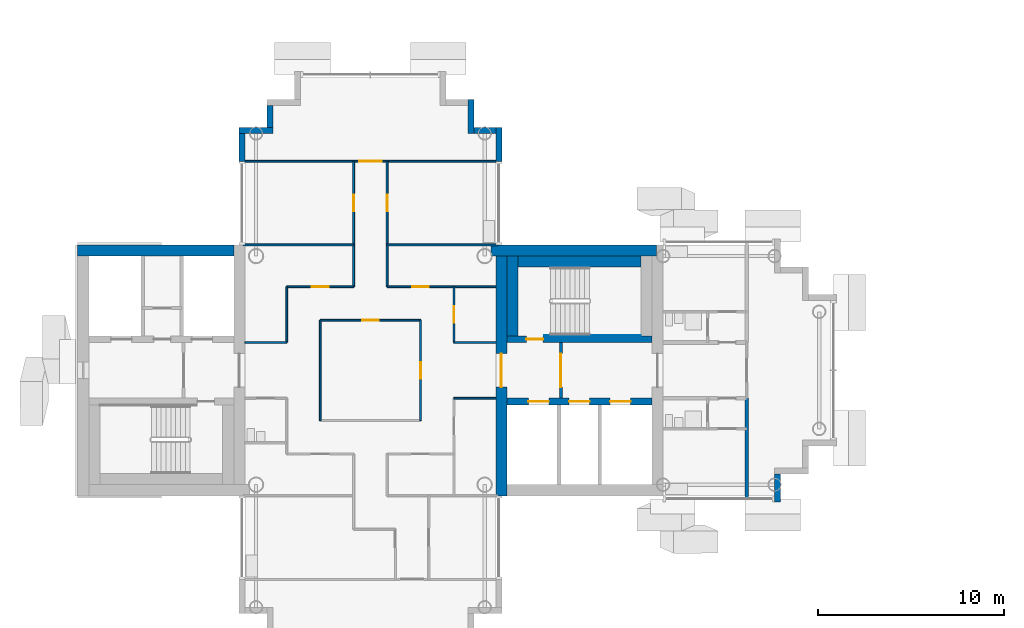
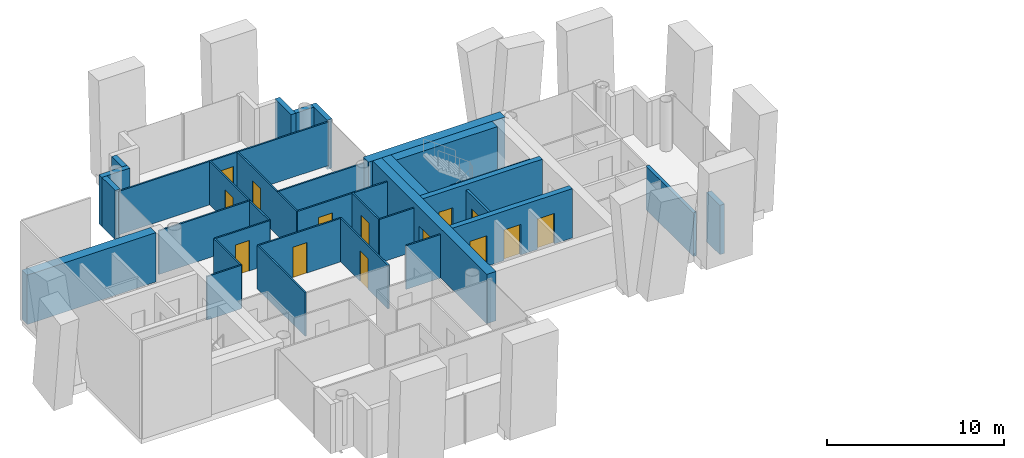
# One storey, part 7 of 18: 32 walls, 14 doors, 14 openings.
"""IFC4 building model written with IfcOpenShell, lengths in metres."""

from ifc_helpers import new_model, si_unit, direction, frame, frame_2d, origin, place, context, subcontext, project, spatial, rectangle, extrude, material, layer, layer_set, type_object, element, fill, save


model = new_model("IFC4")

# Units and contexts
model_context = context("Model", 3, precision=1e-05, world=origin(), true_north=direction((0.0, 1.0)))
body_context = subcontext(model_context, "Body", "Model", "MODEL_VIEW")
ifc_project = project(units=[si_unit("LENGTHUNIT", "METRE"), si_unit("AREAUNIT", "SQUARE_METRE"), si_unit("VOLUMEUNIT", "CUBIC_METRE"), si_unit("PLANEANGLEUNIT", "RADIAN"), si_unit("MASSUNIT", "GRAM", prefix="KILO")], contexts=[model_context])

# Site, building, storey
site_placement = place(None, origin())
site = spatial("IfcSite", under=ifc_project, at=site_placement, CompositionType="ELEMENT")
building_placement = place(site_placement, origin())
building = spatial("IfcBuilding", under=site, at=building_placement, Name="Ipe Terrace Towers", CompositionType="ELEMENT")
storey_placement = place(building_placement, frame((0.0, 0.0, 209.60009765625)))
storey = spatial("IfcBuildingStorey", under=building, at=storey_placement, Name="L58", CompositionType="ELEMENT", Elevation=209.60009765625)

# Walls
ifc_material_1 = material(Name="Concrete C40/50 with buff precast cladding", Category="concrete")
ifc_layer_1 = layer(ifc_material_1, 0.320068359375)
ifc_layer_set_1 = layer_set([ifc_layer_1], Name="BUFF CLADDING WALL 320")
wall_type_1 = type_object("IfcWallType", Name="BUFF CLADDING WALL 320", PredefinedType="STANDARD", material=ifc_layer_set_1)
wall_1_placement = place(storey_placement, frame((-14.090087890625, -7.070068359375, -0.300048828125), z_axis=(0.0, 0.0, 1.0), x_axis=(0.0, 1.0, 0.0)))
element("IfcWall", 1, at=wall_1_placement, inside=storey, type_object=wall_type_1, Name="T1-W-L58-17a wall", PredefinedType="STANDARD", context=body_context, shape_type="SweptSolid", body=[
    extrude(rectangle(XDim=1.5, YDim=0.320068359375, at=frame_2d((0.75, 0.0))), origin(), (0.0, 0.0, 1.0), 3.39990234375),
])
wall_2_placement = place(storey_placement, frame((-29.090087890625, 11.25, -0.300048828125), z_axis=(0.0, 0.0, 1.0), x_axis=(0.0, 1.0, 0.0)))
element("IfcWall", 2, at=wall_2_placement, inside=storey, type_object=wall_type_1, Name="T1-W-L58-29a wall", PredefinedType="STANDARD", context=body_context, shape_type="SweptSolid", body=[
    extrude(rectangle(XDim=1.820068359375, YDim=0.320068359375, at=frame_2d((0.91015625, 0.0))), origin(), (0.0, 0.0, 1.0), 3.39990234375),
])
wall_3_placement = place(storey_placement, frame((-29.25, 12.909912109375, -0.300048828125), z_axis=(0.0, 0.0, 1.0), x_axis=(-1.0, 0.0, 0.0)))
element("IfcWall", 3, at=wall_3_placement, inside=storey, type_object=wall_type_1, Name="T1-W-L58-30a wall", PredefinedType="STANDARD", context=body_context, shape_type="SweptSolid", body=[
    extrude(rectangle(XDim=1.179931640625, YDim=0.320068359375, at=frame_2d((0.58984375, 0.0))), origin(), (0.0, 0.0, 1.0), 3.39990234375),
])
wall_4_placement = place(storey_placement, frame((-30.590087890625, 12.75, -0.300048828125), z_axis=(0.0, 0.0, 1.0), x_axis=(0.0, 1.0, 0.0)))
element("IfcWall", 4, at=wall_4_placement, inside=storey, type_object=wall_type_1, Name="T1-W-L58-31a wall", PredefinedType="STANDARD", context=body_context, shape_type="SweptSolid", body=[
    extrude(rectangle(XDim=1.820068359375, YDim=0.320068359375, at=frame_2d((0.91015625, 0.0))), origin(), (0.0, 0.0, 1.0), 3.39990234375),
])
wall_5_placement = place(storey_placement, frame((-41.409912109375, 14.25, -0.300048828125), z_axis=(0.0, 0.0, 1.0), x_axis=(0.0, -1.0, 0.0)))
element("IfcWall", 5, at=wall_5_placement, inside=storey, type_object=wall_type_1, Name="T1-W-L58-37a wall", PredefinedType="STANDARD", context=body_context, shape_type="SweptSolid", body=[
    extrude(rectangle(XDim=1.179931640625, YDim=0.320068359375, at=frame_2d((0.58984375, 0.0))), origin(), (0.0, 0.0, 1.0), 3.39990234375),
])
wall_6_placement = place(storey_placement, frame((-41.25, 12.909912109375, -0.300048828125), z_axis=(0.0, 0.0, 1.0), x_axis=(-1.0, 0.0, 0.0)))
element("IfcWall", 6, at=wall_6_placement, inside=storey, type_object=wall_type_1, Name="T1-W-L58-38a wall", PredefinedType="STANDARD", context=body_context, shape_type="SweptSolid", body=[
    extrude(rectangle(XDim=1.820068359375, YDim=0.320068359375, at=frame_2d((0.91015625, 0.0))), origin(), (0.0, 0.0, 1.0), 3.39990234375),
])
wall_7_placement = place(storey_placement, frame((-42.909912109375, 12.75, -0.300048828125), z_axis=(0.0, 0.0, 1.0), x_axis=(0.0, -1.0, 0.0)))
element("IfcWall", 7, at=wall_7_placement, inside=storey, type_object=wall_type_1, Name="T1-W-L58-39a wall", PredefinedType="STANDARD", context=body_context, shape_type="SweptSolid", body=[
    extrude(rectangle(XDim=1.5, YDim=0.320068359375, at=frame_2d((0.75, 0.0))), origin(), (0.0, 0.0, 1.0), 3.39990234375),
])
ifc_material_2 = material(Name="Gypsum board partition", Category="plasterboard")
ifc_layer_2 = layer(ifc_material_2, 0.10009765625)
ifc_layer_set_2 = layer_set([ifc_layer_2], Name="Gypsum board partition 100 mm")
wall_type_2 = type_object("IfcWallType", Name="Gypsum board partition 100 mm", PredefinedType="PARTITIONING", material=ifc_layer_set_2)
wall_8_placement = place(storey_placement, frame((-40.5, 1.5, 0.0), z_axis=(0.0, 0.0, 1.0), x_axis=(0.0, 1.0, 0.0)))
element("IfcWall", 8, at=wall_8_placement, inside=storey, type_object=wall_type_2, Name="Gypsum board partition T1 L58 W02", PredefinedType="PARTITIONING", context=body_context, shape_type="SweptSolid", body=[
    extrude(rectangle(XDim=3.0, YDim=0.10009765625, at=frame_2d((1.5, 0.0))), origin(), (0.0, 0.0, 1.0), 3.0),
])
wall_9_placement = place(storey_placement, frame((-38.699951171875, -2.699951171875, 0.0), z_axis=(0.0, 0.0, 1.0), x_axis=(0.0, 1.0, 0.0)))
element("IfcWall", 9, at=wall_9_placement, inside=storey, type_object=wall_type_2, Name="Gypsum board partition T1 L58 W03", PredefinedType="PARTITIONING", context=body_context, shape_type="SweptSolid", body=[
    extrude(rectangle(XDim=5.39990234375, YDim=0.10009765625, at=frame_2d((2.699951171875, 0.0))), origin(), (0.0, 0.0, 1.0), 3.0),
])

# Wall, opening, door
wall_10_placement = place(storey_placement, frame((-36.89990234375, 4.5, 0.0), z_axis=(0.0, 0.0, 1.0), x_axis=(0.0, 1.0, 0.0)))
wall_10 = element("IfcWall", 10, at=wall_10_placement, inside=storey, type_object=wall_type_2, Name="Gypsum board partition T1 L58 W05", PredefinedType="PARTITIONING", context=body_context, shape_type="SweptSolid", body=[
    extrude(rectangle(XDim=6.75, YDim=0.10009765625, at=frame_2d((3.375, 0.0))), origin(), (0.0, 0.0, 1.0), 3.0),
])
opening_1_placement = place(wall_10_placement, frame((4.050048828125, 0.0, 0.0)))
opening_1 = element("IfcOpeningElement", 11, at=opening_1_placement, cuts=wall_10, Name="Opening T1-Z4E-10", PredefinedType="OPENING", context=body_context, shape_type="SweptSolid", body=[
    extrude(rectangle(XDim=0.89990234375, YDim=2.10009765625, at=frame_2d((0.449951171875, 1.050048828125))), frame((0.0, 0.06005859375, 0.0), z_axis=(0.0, -1.0, 0.0), x_axis=(1.0, 0.0, 0.0)), (0.0, 0.0, 1.0), 0.1201171875),
])
ifc_material_3 = material(Name="Timber door leaf", Category="wood")
door_type_1 = type_object("IfcDoorType", Name="Lounge door 900 x 2100", OperationType="NOTDEFINED", PredefinedType="DOOR", material=ifc_material_3)
door_1_placement = place(opening_1_placement, origin())
door_1 = element("IfcDoor", 12, at=door_1_placement, inside=storey, type_object=door_type_1, Name="Lounge door T1-Z4E-10", OperationType="SINGLE_SWING_LEFT", OverallHeight=2.10009765625, OverallWidth=0.89990234375, PredefinedType="DOOR", context=body_context, shape_type="SweptSolid", body=[
    extrude(rectangle(XDim=0.89990234375, YDim=2.10009765625, at=frame_2d((0.449951171875, 1.050048828125))), frame((0.0, 0.02490234375, 0.0), z_axis=(0.0, -1.0, 0.0), x_axis=(1.0, 0.0, 0.0)), (0.0, 0.0, 1.0), 0.050048828125),
])
fill(opening_1, door_1)

wall_11_placement = place(storey_placement, frame((-35.10009765625, 4.5, 0.0), z_axis=(0.0, 0.0, 1.0), x_axis=(0.0, 1.0, 0.0)))
wall_11 = element("IfcWall", 13, at=wall_11_placement, inside=storey, type_object=wall_type_2, Name="Gypsum board partition T1 L58 W07", PredefinedType="PARTITIONING", context=body_context, shape_type="SweptSolid", body=[
    extrude(rectangle(XDim=6.75, YDim=0.10009765625, at=frame_2d((3.375, 0.0))), origin(), (0.0, 0.0, 1.0), 3.0),
])
opening_2_placement = place(wall_11_placement, frame((4.050048828125, 0.0, 0.0)))
opening_2 = element("IfcOpeningElement", 14, at=opening_2_placement, cuts=wall_11, Name="Opening T1-Z4E-11", PredefinedType="OPENING", context=body_context, shape_type="SweptSolid", body=[
    extrude(rectangle(XDim=0.89990234375, YDim=2.10009765625, at=frame_2d((0.449951171875, 1.050048828125))), frame((0.0, 0.06005859375, 0.0), z_axis=(0.0, -1.0, 0.0), x_axis=(1.0, 0.0, 0.0)), (0.0, 0.0, 1.0), 0.1201171875),
])
door_2_placement = place(opening_2_placement, origin())
door_2 = element("IfcDoor", 15, at=door_2_placement, inside=storey, type_object=door_type_1, Name="Lounge door T1-Z4E-11", OperationType="SINGLE_SWING_RIGHT", OverallHeight=2.10009765625, OverallWidth=0.89990234375, PredefinedType="DOOR", context=body_context, shape_type="SweptSolid", body=[
    extrude(rectangle(XDim=0.89990234375, YDim=2.10009765625, at=frame_2d((0.449951171875, 1.050048828125))), frame((0.0, 0.02490234375, 0.0), z_axis=(0.0, -1.0, 0.0), x_axis=(1.0, 0.0, 0.0)), (0.0, 0.0, 1.0), 0.050048828125),
])
fill(opening_2, door_2)

wall_12_placement = place(storey_placement, frame((-33.300048828125, -2.699951171875, 0.0), z_axis=(0.0, 0.0, 1.0), x_axis=(0.0, 1.0, 0.0)))
wall_12 = element("IfcWall", 16, at=wall_12_placement, inside=storey, type_object=wall_type_2, Name="Gypsum board partition T1 L58 W09", PredefinedType="PARTITIONING", context=body_context, shape_type="SweptSolid", body=[
    extrude(rectangle(XDim=5.39990234375, YDim=0.10009765625, at=frame_2d((2.699951171875, 0.0))), origin(), (0.0, 0.0, 1.0), 3.0),
])
opening_3_placement = place(wall_12_placement, frame((2.25, 0.0, 0.0)))
opening_3 = element("IfcOpeningElement", 17, at=opening_3_placement, cuts=wall_12, Name="Opening T1-Z4E-02", PredefinedType="OPENING", context=body_context, shape_type="SweptSolid", body=[
    extrude(rectangle(XDim=0.89990234375, YDim=2.10009765625, at=frame_2d((0.449951171875, 1.050048828125))), frame((0.0, 0.06005859375, 0.0), z_axis=(0.0, -1.0, 0.0), x_axis=(1.0, 0.0, 0.0)), (0.0, 0.0, 1.0), 0.1201171875),
])
door_3_placement = place(opening_3_placement, origin())
door_3 = element("IfcDoor", 18, at=door_3_placement, inside=storey, type_object=door_type_1, Name="Lounge door T1-Z4E-02", OperationType="SINGLE_SWING_LEFT", OverallHeight=2.10009765625, OverallWidth=0.89990234375, PredefinedType="DOOR", context=body_context, shape_type="SweptSolid", body=[
    extrude(rectangle(XDim=0.89990234375, YDim=2.10009765625, at=frame_2d((0.449951171875, 1.050048828125))), frame((0.0, 0.02490234375, 0.0), z_axis=(0.0, -1.0, 0.0), x_axis=(1.0, 0.0, 0.0)), (0.0, 0.0, 1.0), 0.050048828125),
])
fill(opening_3, door_3)

wall_13_placement = place(storey_placement, frame((-31.5, 1.5, 0.0), z_axis=(0.0, 0.0, 1.0), x_axis=(0.0, 1.0, 0.0)))
wall_13 = element("IfcWall", 19, at=wall_13_placement, inside=storey, type_object=wall_type_2, Name="Gypsum board partition T1 L58 W12", PredefinedType="PARTITIONING", context=body_context, shape_type="SweptSolid", body=[
    extrude(rectangle(XDim=3.0, YDim=0.10009765625, at=frame_2d((1.5, 0.0))), origin(), (0.0, 0.0, 1.0), 3.0),
])
opening_4_placement = place(wall_13_placement, frame((1.050048828125, 0.0, 0.0)))
opening_4 = element("IfcOpeningElement", 20, at=opening_4_placement, cuts=wall_13, Name="Opening T1-Z4E-05", PredefinedType="OPENING", context=body_context, shape_type="SweptSolid", body=[
    extrude(rectangle(XDim=0.89990234375, YDim=2.10009765625, at=frame_2d((0.449951171875, 1.050048828125))), frame((0.0, 0.06005859375, 0.0), z_axis=(0.0, -1.0, 0.0), x_axis=(1.0, 0.0, 0.0)), (0.0, 0.0, 1.0), 0.1201171875),
])
door_4_placement = place(opening_4_placement, origin())
door_4 = element("IfcDoor", 21, at=door_4_placement, inside=storey, type_object=door_type_1, Name="Lounge door T1-Z4E-05", OperationType="SINGLE_SWING_RIGHT", OverallHeight=2.10009765625, OverallWidth=0.89990234375, PredefinedType="DOOR", context=body_context, shape_type="SweptSolid", body=[
    extrude(rectangle(XDim=0.89990234375, YDim=2.10009765625, at=frame_2d((0.449951171875, 1.050048828125))), frame((0.0, 0.02490234375, 0.0), z_axis=(0.0, -1.0, 0.0), x_axis=(1.0, 0.0, 0.0)), (0.0, 0.0, 1.0), 0.050048828125),
])
fill(opening_4, door_4)

# Walls
for number, where, z_axis, x_axis, name in (
    (22, (-31.5, -1.5, 0.0), (0.0, 0.0, 1.0), (1.0, 0.0, 0.0), "Gypsum board partition T1 L58 W28"),
    (23, (-42.75, 1.5, 0.0), (0.0, 0.0, 1.0), (1.0, 0.0, 0.0), "Gypsum board partition T1 L58 W30"),
    (24, (-31.5, 1.5, 0.0), (0.0, 0.0, 1.0), (1.0, 0.0, 0.0), "Gypsum board partition T1 L58 W31"),
):
    element("IfcWall", number, at=place(storey_placement, frame(where, z_axis=z_axis, x_axis=x_axis)), inside=storey, type_object=wall_type_2, Name=name, PredefinedType="PARTITIONING", context=body_context, shape_type="SweptSolid", body=[
        extrude(rectangle(XDim=2.25, YDim=0.10009765625, at=frame_2d((1.125, 0.0))), origin(), (0.0, 0.0, 1.0), 3.0),
    ])

# Wall, opening, door
wall_14_placement = place(storey_placement, frame((-38.699951171875, 2.699951171875, 0.0), z_axis=(0.0, 0.0, 1.0), x_axis=(1.0, 0.0, 0.0)))
wall_14 = element("IfcWall", 25, at=wall_14_placement, inside=storey, type_object=wall_type_2, Name="Gypsum board partition T1 L58 W33", PredefinedType="PARTITIONING", context=body_context, shape_type="SweptSolid", body=[
    extrude(rectangle(XDim=5.39990234375, YDim=0.10009765625, at=frame_2d((2.699951171875, 0.0))), origin(), (0.0, 0.0, 1.0), 3.0),
])
opening_5_placement = place(wall_14_placement, frame((2.25, 0.0, 0.0)))
opening_5 = element("IfcOpeningElement", 26, at=opening_5_placement, cuts=wall_14, Name="Opening T1-Z4E-01", PredefinedType="OPENING", context=body_context, shape_type="SweptSolid", body=[
    extrude(rectangle(XDim=0.89990234375, YDim=2.10009765625, at=frame_2d((0.449951171875, 1.050048828125))), frame((0.0, 0.06005859375, 0.0), z_axis=(0.0, -1.0, 0.0), x_axis=(1.0, 0.0, 0.0)), (0.0, 0.0, 1.0), 0.1201171875),
])
door_5_placement = place(opening_5_placement, origin())
door_5 = element("IfcDoor", 27, at=door_5_placement, inside=storey, type_object=door_type_1, Name="Lounge door T1-Z4E-01", OperationType="SINGLE_SWING_RIGHT", OverallHeight=2.10009765625, OverallWidth=0.89990234375, PredefinedType="DOOR", context=body_context, shape_type="SweptSolid", body=[
    extrude(rectangle(XDim=0.89990234375, YDim=2.10009765625, at=frame_2d((0.449951171875, 1.050048828125))), frame((0.0, 0.02490234375, 0.0), z_axis=(0.0, -1.0, 0.0), x_axis=(1.0, 0.0, 0.0)), (0.0, 0.0, 1.0), 0.050048828125),
])
fill(opening_5, door_5)

wall_15_placement = place(storey_placement, frame((-40.5, 4.5, 0.0), z_axis=(0.0, 0.0, 1.0), x_axis=(1.0, 0.0, 0.0)))
wall_15 = element("IfcWall", 28, at=wall_15_placement, inside=storey, type_object=wall_type_2, Name="Gypsum board partition T1 L58 W35", PredefinedType="PARTITIONING", context=body_context, shape_type="SweptSolid", body=[
    extrude(rectangle(XDim=3.60009765625, YDim=0.10009765625, at=frame_2d((1.800048828125, 0.0))), origin(), (0.0, 0.0, 1.0), 3.0),
])
opening_6_placement = place(wall_15_placement, frame((1.35009765625, 0.0, 0.0)))
opening_6 = element("IfcOpeningElement", 29, at=opening_6_placement, cuts=wall_15, Name="Opening T1-Z4E-06", PredefinedType="OPENING", context=body_context, shape_type="SweptSolid", body=[
    extrude(rectangle(XDim=0.89990234375, YDim=2.10009765625, at=frame_2d((0.449951171875, 1.050048828125))), frame((0.0, 0.06005859375, 0.0), z_axis=(0.0, -1.0, 0.0), x_axis=(1.0, 0.0, 0.0)), (0.0, 0.0, 1.0), 0.1201171875),
])
door_6_placement = place(opening_6_placement, origin())
door_6 = element("IfcDoor", 30, at=door_6_placement, inside=storey, type_object=door_type_1, Name="Lounge door T1-Z4E-06", OperationType="SINGLE_SWING_LEFT", OverallHeight=2.10009765625, OverallWidth=0.89990234375, PredefinedType="DOOR", context=body_context, shape_type="SweptSolid", body=[
    extrude(rectangle(XDim=0.89990234375, YDim=2.10009765625, at=frame_2d((0.449951171875, 1.050048828125))), frame((0.0, 0.02490234375, 0.0), z_axis=(0.0, -1.0, 0.0), x_axis=(1.0, 0.0, 0.0)), (0.0, 0.0, 1.0), 0.050048828125),
])
fill(opening_6, door_6)

wall_16_placement = place(storey_placement, frame((-35.10009765625, 4.5, 0.0), z_axis=(0.0, 0.0, 1.0), x_axis=(1.0, 0.0, 0.0)))
wall_16 = element("IfcWall", 31, at=wall_16_placement, inside=storey, type_object=wall_type_2, Name="Gypsum board partition T1 L58 W36", PredefinedType="PARTITIONING", context=body_context, shape_type="SweptSolid", body=[
    extrude(rectangle(XDim=5.85009765625, YDim=0.10009765625, at=frame_2d((2.925048828125, 0.0))), origin(), (0.0, 0.0, 1.0), 3.0),
])
opening_7_placement = place(wall_16_placement, frame((1.35009765625, 0.0, 0.0)))
opening_7 = element("IfcOpeningElement", 32, at=opening_7_placement, cuts=wall_16, Name="Opening T1-Z4E-04", PredefinedType="OPENING", context=body_context, shape_type="SweptSolid", body=[
    extrude(rectangle(XDim=0.89990234375, YDim=2.10009765625, at=frame_2d((0.449951171875, 1.050048828125))), frame((0.0, 0.06005859375, 0.0), z_axis=(0.0, -1.0, 0.0), x_axis=(1.0, 0.0, 0.0)), (0.0, 0.0, 1.0), 0.1201171875),
])
door_7_placement = place(opening_7_placement, origin())
door_7 = element("IfcDoor", 33, at=door_7_placement, inside=storey, type_object=door_type_1, Name="Lounge door T1-Z4E-04", OperationType="SINGLE_SWING_RIGHT", OverallHeight=2.10009765625, OverallWidth=0.89990234375, PredefinedType="DOOR", context=body_context, shape_type="SweptSolid", body=[
    extrude(rectangle(XDim=0.89990234375, YDim=2.10009765625, at=frame_2d((0.449951171875, 1.050048828125))), frame((0.0, 0.02490234375, 0.0), z_axis=(0.0, -1.0, 0.0), x_axis=(1.0, 0.0, 0.0)), (0.0, 0.0, 1.0), 0.050048828125),
])
fill(opening_7, door_7)

# Walls
for number, where, z_axis, x_axis, name in (
    (34, (-42.85009765625, 6.75, 0.0), (0.0, 0.0, 1.0), (1.0, 0.0, 0.0), "Gypsum board partition T1 L58 W37"),
    (35, (-35.10009765625, 6.75, 0.0), (0.0, 0.0, 1.0), (1.0, 0.0, 0.0), "Gypsum board partition T1 L58 W38"),
):
    element("IfcWall", number, at=place(storey_placement, frame(where, z_axis=z_axis, x_axis=x_axis)), inside=storey, type_object=wall_type_2, Name=name, PredefinedType="PARTITIONING", context=body_context, shape_type="SweptSolid", body=[
        extrude(rectangle(XDim=5.9501953125, YDim=0.10009765625, at=frame_2d((2.97509765625, 0.0))), origin(), (0.0, 0.0, 1.0), 3.0),
    ])

# Wall, opening, door
wall_17_placement = place(storey_placement, frame((-42.85009765625, 11.25, 0.0), z_axis=(0.0, 0.0, 1.0), x_axis=(1.0, 0.0, 0.0)))
wall_17 = element("IfcWall", 36, at=wall_17_placement, inside=storey, type_object=wall_type_2, Name="Gypsum board partition T1 L58 W39", PredefinedType="PARTITIONING", context=body_context, shape_type="SweptSolid", body=[
    extrude(rectangle(XDim=13.7001953125, YDim=0.10009765625, at=frame_2d((6.85009765625, 0.0))), origin(), (0.0, 0.0, 1.0), 3.0),
])
opening_8_placement = place(wall_17_placement, frame((6.25, 0.0, 0.0)))
opening_8 = element("IfcOpeningElement", 37, at=opening_8_placement, cuts=wall_17, Name="Opening T1-Z4E-12", PredefinedType="OPENING", context=body_context, shape_type="SweptSolid", body=[
    extrude(rectangle(XDim=1.199951171875, YDim=2.10009765625, at=frame_2d((0.60009765625, 1.050048828125))), frame((0.0, 0.06005859375, 0.0), z_axis=(0.0, -1.0, 0.0), x_axis=(1.0, 0.0, 0.0)), (0.0, 0.0, 1.0), 0.1201171875),
])
ifc_material_4 = material(Name="Timber door leaf", Category="wood")
door_type_2 = type_object("IfcDoorType", Name="Lounge door 1200 x 2100", OperationType="NOTDEFINED", PredefinedType="DOOR", material=ifc_material_4)
door_8_placement = place(opening_8_placement, origin())
door_8 = element("IfcDoor", 38, at=door_8_placement, inside=storey, type_object=door_type_2, Name="Lounge door T1-Z4E-12", OperationType="SINGLE_SWING_LEFT", OverallHeight=2.10009765625, OverallWidth=1.199951171875, PredefinedType="DOOR", context=body_context, shape_type="SweptSolid", body=[
    extrude(rectangle(XDim=1.199951171875, YDim=2.10009765625, at=frame_2d((0.60009765625, 1.050048828125))), frame((0.0, 0.02490234375, 0.0), z_axis=(0.0, -1.0, 0.0), x_axis=(1.0, 0.0, 0.0)), (0.0, 0.0, 1.0), 0.050048828125),
])
fill(opening_8, door_8)

ifc_material_5 = material(Name="Gypsum board partition", Category="plasterboard")
ifc_layer_3 = layer(ifc_material_5, 0.14990234375)
ifc_layer_set_3 = layer_set([ifc_layer_3], Name="Gypsum board partition 150 mm")
wall_type_3 = type_object("IfcWallType", Name="Gypsum board partition 150 mm", PredefinedType="PARTITIONING", material=ifc_layer_set_3)
wall_18_placement = place(storey_placement, frame((-25.75, -1.5, 0.0), z_axis=(0.0, 0.0, 1.0), x_axis=(0.0, 1.0, 0.0)))
wall_18 = element("IfcWall", 39, at=wall_18_placement, inside=storey, type_object=wall_type_3, Name="Gypsum board partition T1 L58 t1c1-lobby-wall", PredefinedType="PARTITIONING", context=body_context, shape_type="SweptSolid", body=[
    extrude(rectangle(XDim=3.0, YDim=0.14990234375, at=frame_2d((1.5, 0.0))), origin(), (0.0, 0.0, 1.0), 3.0),
])
opening_9_placement = place(wall_18_placement, frame((0.60009765625, 0.0, 0.0)))
opening_9 = element("IfcOpeningElement", 40, at=opening_9_placement, cuts=wall_18, Name="Opening T1C1-VD", PredefinedType="OPENING", context=body_context, shape_type="SweptSolid", body=[
    extrude(rectangle(XDim=1.800048828125, YDim=2.10009765625, at=frame_2d((0.89990234375, 1.050048828125))), frame((0.0, 0.0849609375, 0.0), z_axis=(0.0, -1.0, 0.0), x_axis=(1.0, 0.0, 0.0)), (0.0, 0.0, 1.0), 0.169921875),
])
ifc_material_6 = material(Name="Fire-rated timber door leaf", Category="wood")
door_type_3 = type_object("IfcDoorType", Name="Lobby door 1800 x 2100 FD60", OperationType="NOTDEFINED", PredefinedType="DOOR", material=ifc_material_6)
door_9_placement = place(opening_9_placement, origin())
door_9 = element("IfcDoor", 41, at=door_9_placement, inside=storey, type_object=door_type_3, Name="Lobby door T1C1-VD", OperationType="SINGLE_SWING_LEFT", OverallHeight=2.10009765625, OverallWidth=1.800048828125, PredefinedType="DOOR", context=body_context, shape_type="SweptSolid", body=[
    extrude(rectangle(XDim=1.800048828125, YDim=2.10009765625, at=frame_2d((0.89990234375, 1.050048828125))), frame((0.0, 0.02490234375, 0.0), z_axis=(0.0, -1.0, 0.0), x_axis=(1.0, 0.0, 0.0)), (0.0, 0.0, 1.0), 0.050048828125),
])
fill(opening_9, door_9)

# Wall
ifc_material_7 = material(Name="Gypsum board party wall", Category="plasterboard")
ifc_layer_4 = layer(ifc_material_7, 0.199951171875)
ifc_layer_set_4 = layer_set([ifc_layer_4], Name="Gypsum board party wall 200 mm")
wall_type_4 = type_object("IfcWallType", Name="Gypsum board party wall 200 mm", PredefinedType="SOLIDWALL", material=ifc_layer_set_4)
wall_19_placement = place(storey_placement, frame((-15.75, -6.85009765625, 0.0), z_axis=(0.0, 0.0, 1.0), x_axis=(0.0, 1.0, 0.0)))
element("IfcWall", 42, at=wall_19_placement, inside=storey, type_object=wall_type_4, Name="Gypsum board party wall T1 L58 W16", PredefinedType="SOLIDWALL", context=body_context, shape_type="SweptSolid", body=[
    extrude(rectangle(XDim=5.35009765625, YDim=0.199951171875, at=frame_2d((2.675048828125, 0.0))), origin(), (0.0, 0.0, 1.0), 3.0),
])

# Wall, openings, doors
ifc_material_8 = material(Name="Concrete C40/50", Category="concrete")
ifc_layer_5 = layer(ifc_material_8, 0.35009765625)
ifc_layer_set_5 = layer_set([ifc_layer_5], Name="RW350 CORE SPINE WALL 350 C40-50")
wall_type_5 = type_object("IfcWallType", Name="RW350 CORE SPINE WALL 350 C40-50", PredefinedType="SHEAR", material=ifc_layer_set_5)
wall_20_placement = place(storey_placement, frame((-28.64990234375, -1.675048828125, 0.0), z_axis=(0.0, 0.0, 1.0), x_axis=(1.0, 0.0, 0.0)))
wall_20 = element("IfcWall", 43, at=wall_20_placement, inside=storey, type_object=wall_type_5, Name="Core spine wall T1-C1-Z4-SW1", PredefinedType="SHEAR", context=body_context, shape_type="SweptSolid", body=[
    extrude(rectangle(XDim=7.7998046875, YDim=0.35009765625, at=frame_2d((3.89990234375, 0.0))), origin(), (0.0, 0.0, 1.0), 3.39990234375),
])
opening_10_placement = place(wall_20_placement, frame((1.14990234375, 0.0, 0.0)))
opening_10 = element("IfcOpeningElement", 44, at=opening_10_placement, cuts=wall_20, Name="Opening T1C1-LD1", PredefinedType="OPENING", context=body_context, shape_type="SweptSolid", body=[
    extrude(rectangle(XDim=1.10009765625, YDim=2.10009765625, at=frame_2d((0.550048828125, 1.050048828125))), frame((0.0, 0.18505859375, 0.0), z_axis=(0.0, -1.0, 0.0), x_axis=(1.0, 0.0, 0.0)), (0.0, 0.0, 1.0), 0.3701171875),
])
opening_11_placement = place(wall_20_placement, frame((3.35009765625, 0.0, 0.0)))
opening_11 = element("IfcOpeningElement", 45, at=opening_11_placement, cuts=wall_20, Name="Opening T1C1-LD2", PredefinedType="OPENING", context=body_context, shape_type="SweptSolid", body=[
    extrude(rectangle(XDim=1.10009765625, YDim=2.10009765625, at=frame_2d((0.550048828125, 1.050048828125))), frame((0.0, 0.18505859375, 0.0), z_axis=(0.0, -1.0, 0.0), x_axis=(1.0, 0.0, 0.0)), (0.0, 0.0, 1.0), 0.3701171875),
])
opening_12_placement = place(wall_20_placement, frame((5.550048828125, 0.0, 0.0)))
opening_12 = element("IfcOpeningElement", 46, at=opening_12_placement, cuts=wall_20, Name="Opening T1C1-LD3", PredefinedType="OPENING", context=body_context, shape_type="SweptSolid", body=[
    extrude(rectangle(XDim=1.10009765625, YDim=2.10009765625, at=frame_2d((0.550048828125, 1.050048828125))), frame((0.0, 0.18505859375, 0.0), z_axis=(0.0, -1.0, 0.0), x_axis=(1.0, 0.0, 0.0)), (0.0, 0.0, 1.0), 0.3701171875),
])
ifc_material_9 = material(Name="Fire-rated timber door leaf", Category="wood")
door_type_4 = type_object("IfcDoorType", Name="Sliding door 1100 x 2100 FD60", OperationType="SLIDING_TO_LEFT", PredefinedType="DOOR", material=ifc_material_9)
door_10_placement = place(opening_10_placement, origin())
door_10 = element("IfcDoor", 47, at=door_10_placement, inside=storey, type_object=door_type_4, Name="Sliding door T1C1-LD1", OperationType="SLIDING_TO_LEFT", OverallHeight=2.10009765625, OverallWidth=1.10009765625, PredefinedType="DOOR", context=body_context, shape_type="SweptSolid", body=[
    extrude(rectangle(XDim=1.10009765625, YDim=2.10009765625, at=frame_2d((0.550048828125, 1.050048828125))), frame((0.0, 0.02490234375, 0.0), z_axis=(0.0, -1.0, 0.0), x_axis=(1.0, 0.0, 0.0)), (0.0, 0.0, 1.0), 0.050048828125),
])
fill(opening_10, door_10)
door_11_placement = place(opening_11_placement, origin())
door_11 = element("IfcDoor", 48, at=door_11_placement, inside=storey, type_object=door_type_4, Name="Sliding door T1C1-LD2", OperationType="SLIDING_TO_LEFT", OverallHeight=2.10009765625, OverallWidth=1.10009765625, PredefinedType="DOOR", context=body_context, shape_type="SweptSolid", body=[
    extrude(rectangle(XDim=1.10009765625, YDim=2.10009765625, at=frame_2d((0.550048828125, 1.050048828125))), frame((0.0, 0.02490234375, 0.0), z_axis=(0.0, -1.0, 0.0), x_axis=(1.0, 0.0, 0.0)), (0.0, 0.0, 1.0), 0.050048828125),
])
fill(opening_11, door_11)
door_12_placement = place(opening_12_placement, origin())
door_12 = element("IfcDoor", 49, at=door_12_placement, inside=storey, type_object=door_type_4, Name="Sliding door T1C1-LD3", OperationType="SLIDING_TO_LEFT", OverallHeight=2.10009765625, OverallWidth=1.10009765625, PredefinedType="DOOR", context=body_context, shape_type="SweptSolid", body=[
    extrude(rectangle(XDim=1.10009765625, YDim=2.10009765625, at=frame_2d((0.550048828125, 1.050048828125))), frame((0.0, 0.02490234375, 0.0), z_axis=(0.0, -1.0, 0.0), x_axis=(1.0, 0.0, 0.0)), (0.0, 0.0, 1.0), 0.050048828125),
])
fill(opening_12, door_12)

# Wall, opening, door
wall_21_placement = place(storey_placement, frame((-28.64990234375, 1.675048828125, 0.0), z_axis=(0.0, 0.0, 1.0), x_axis=(1.0, 0.0, 0.0)))
wall_21 = element("IfcWall", 50, at=wall_21_placement, inside=storey, type_object=wall_type_5, Name="Core spine wall T1-C1-Z4-SW2", PredefinedType="SHEAR", context=body_context, shape_type="SweptSolid", body=[
    extrude(rectangle(XDim=7.7998046875, YDim=0.35009765625, at=frame_2d((3.89990234375, 0.0))), origin(), (0.0, 0.0, 1.0), 3.39990234375),
])
opening_13_placement = place(wall_21_placement, frame((1.050048828125, 0.0, 0.0)))
opening_13 = element("IfcOpeningElement", 51, at=opening_13_placement, cuts=wall_21, Name="Opening T1C1-SD", PredefinedType="OPENING", context=body_context, shape_type="SweptSolid", body=[
    extrude(rectangle(XDim=0.89990234375, YDim=2.10009765625, at=frame_2d((0.449951171875, 1.050048828125))), frame((0.0, 0.18505859375, 0.0), z_axis=(0.0, -1.0, 0.0), x_axis=(1.0, 0.0, 0.0)), (0.0, 0.0, 1.0), 0.3701171875),
])
ifc_material_10 = material(Name="Fire-rated timber door leaf", Category="wood")
door_type_5 = type_object("IfcDoorType", Name="Stair door 900 x 2100 FD60", OperationType="NOTDEFINED", PredefinedType="DOOR", material=ifc_material_10)
door_13_placement = place(opening_13_placement, origin())
door_13 = element("IfcDoor", 52, at=door_13_placement, inside=storey, type_object=door_type_5, Name="Stair door T1C1-SD", OperationType="SINGLE_SWING_LEFT", OverallHeight=2.10009765625, OverallWidth=0.89990234375, PredefinedType="DOOR", context=body_context, shape_type="SweptSolid", body=[
    extrude(rectangle(XDim=0.89990234375, YDim=2.10009765625, at=frame_2d((0.449951171875, 1.050048828125))), frame((0.0, 0.02490234375, 0.0), z_axis=(0.0, -1.0, 0.0), x_axis=(1.0, 0.0, 0.0)), (0.0, 0.0, 1.0), 0.050048828125),
])
fill(opening_13, door_13)

# Walls
ifc_material_11 = material(Name="Concrete C40/50", Category="concrete")
ifc_layer_6 = layer(ifc_material_11, 0.050048828125)
ifc_layer_set_6 = layer_set([ifc_layer_6], Name="RW50 CORE INFILL WALL 50 C40-50")
wall_type_6 = type_object("IfcWallType", Name="RW50 CORE INFILL WALL 50 C40-50", PredefinedType="SHEAR", material=ifc_layer_set_6)
wall_22_placement = place(storey_placement, frame((-26.64990234375, 1.875, 0.0), z_axis=(0.0, 0.0, 1.0), x_axis=(1.0, 0.0, 0.0)))
element("IfcWall", 53, at=wall_22_placement, inside=storey, type_object=wall_type_6, Name="Core infill wall T1-C1-spine-b", PredefinedType="SHEAR", context=body_context, shape_type="SweptSolid", body=[
    extrude(rectangle(XDim=5.199951171875, YDim=0.050048828125, at=frame_2d((2.60009765625, 0.0))), origin(), (0.0, 0.0, 1.0), 3.39990234375),
])
ifc_material_12 = material(Name="Concrete C40/50", Category="concrete")
ifc_layer_7 = layer(ifc_material_12, 0.60009765625)
ifc_layer_set_7 = layer_set([ifc_layer_7], Name="RW600 CORE INFILL WALL 600 C40-50")
wall_type_7 = type_object("IfcWallType", Name="RW600 CORE INFILL WALL 600 C40-50", PredefinedType="SHEAR", material=ifc_layer_set_7)
wall_23_placement = place(storey_placement, frame((-28.050048828125, 5.85009765625, 0.0), z_axis=(0.0, 0.0, 1.0), x_axis=(1.0, 0.0, 0.0)))
element("IfcWall", 54, at=wall_23_placement, inside=storey, type_object=wall_type_7, Name="Core infill wall T1-C1-back", PredefinedType="SHEAR", context=body_context, shape_type="SweptSolid", body=[
    extrude(rectangle(XDim=6.60009765625, YDim=0.60009765625, at=frame_2d((3.300048828125, 0.0))), origin(), (0.0, 0.0, 1.0), 3.39990234375),
])
wall_24_placement = place(storey_placement, frame((-28.35009765625, 1.85009765625, 0.0), z_axis=(0.0, 0.0, 1.0), x_axis=(0.0, 1.0, 0.0)))
element("IfcWall", 55, at=wall_24_placement, inside=storey, type_object=wall_type_7, Name="Core infill wall T1-C1-near", PredefinedType="SHEAR", context=body_context, shape_type="SweptSolid", body=[
    extrude(rectangle(XDim=4.2998046875, YDim=0.60009765625, at=frame_2d((2.14990234375, 0.0))), origin(), (0.0, 0.0, 1.0), 3.39990234375),
])
ifc_material_13 = material(Name="Concrete C40/50", Category="concrete")
ifc_layer_8 = layer(ifc_material_13, 0.60009765625)
ifc_layer_set_8 = layer_set([ifc_layer_8], Name="RW600 CORE WALL 600 C40-50")
wall_type_8 = type_object("IfcWallType", Name="RW600 CORE WALL 600 C40-50", PredefinedType="SHEAR", material=ifc_layer_set_8)
wall_25_placement = place(storey_placement, frame((-20.60205078125, 6.449951171875, 0.0), z_axis=(0.0, 0.0, 1.0), x_axis=(-1.0, 0.0, 0.0)))
element("IfcWall", 56, at=wall_25_placement, inside=storey, type_object=wall_type_8, Name="Core wall T1-C1-Z4-W03", PredefinedType="SHEAR", context=body_context, shape_type="SweptSolid", body=[
    extrude(rectangle(XDim=8.89599609375, YDim=0.60009765625, at=frame_2d((4.447998046875, 0.0))), origin(), (0.0, 0.0, 1.0), 3.39990234375),
])

# Wall, opening, door
wall_26_placement = place(storey_placement, frame((-28.949951171875, 6.14990234375, 0.0), z_axis=(0.0, 0.0, 1.0), x_axis=(0.0, -1.0, 0.0)))
wall_26 = element("IfcWall", 57, at=wall_26_placement, inside=storey, type_object=wall_type_8, Name="Core wall T1-C1-Z4-W04", PredefinedType="SHEAR", context=body_context, shape_type="SweptSolid", body=[
    extrude(rectangle(XDim=12.89990234375, YDim=0.60009765625, at=frame_2d((6.449951171875, 0.0))), origin(), (0.0, 0.0, 1.0), 3.39990234375),
])
opening_14_placement = place(wall_26_placement, frame((5.25, 0.0, 0.0)))
opening_14 = element("IfcOpeningElement", 58, at=opening_14_placement, cuts=wall_26, Name="Opening T1C1-ND", PredefinedType="OPENING", context=body_context, shape_type="SweptSolid", body=[
    extrude(rectangle(XDim=1.800048828125, YDim=2.10009765625, at=frame_2d((0.89990234375, 1.050048828125))), frame((0.0, 0.31005859375, 0.0), z_axis=(0.0, -1.0, 0.0), x_axis=(1.0, 0.0, 0.0)), (0.0, 0.0, 1.0), 0.6201171875),
])
ifc_material_14 = material(Name="Fire-rated timber door leaf", Category="wood")
door_type_6 = type_object("IfcDoorType", Name="Fire door 1800 x 2100 FD30S", OperationType="NOTDEFINED", PredefinedType="DOOR", material=ifc_material_14)
door_14_placement = place(opening_14_placement, origin())
door_14 = element("IfcDoor", 59, at=door_14_placement, inside=storey, type_object=door_type_6, Name="Fire door T1C1-ND", OperationType="SINGLE_SWING_LEFT", OverallHeight=2.10009765625, OverallWidth=1.800048828125, PredefinedType="DOOR", context=body_context, shape_type="SweptSolid", body=[
    extrude(rectangle(XDim=1.800048828125, YDim=2.10009765625, at=frame_2d((0.89990234375, 1.050048828125))), frame((0.0, 0.02490234375, 0.0), z_axis=(0.0, -1.0, 0.0), x_axis=(1.0, 0.0, 0.0)), (0.0, 0.0, 1.0), 0.050048828125),
])
fill(opening_14, door_14)

# Wall
wall_27_placement = place(storey_placement, frame((-43.35009765625, 6.449951171875, 0.0), z_axis=(0.0, 0.0, 1.0), x_axis=(-1.0, 0.0, 0.0)))
element("IfcWall", 60, at=wall_27_placement, inside=storey, type_object=wall_type_8, Name="Core wall T1-C2-Z4-W03", PredefinedType="SHEAR", context=body_context, shape_type="SweptSolid", body=[
    extrude(rectangle(XDim=8.39990234375, YDim=0.60009765625, at=frame_2d((4.199951171875, 0.0))), origin(), (0.0, 0.0, 1.0), 3.39990234375),
])

save(model, "model.ifc")
